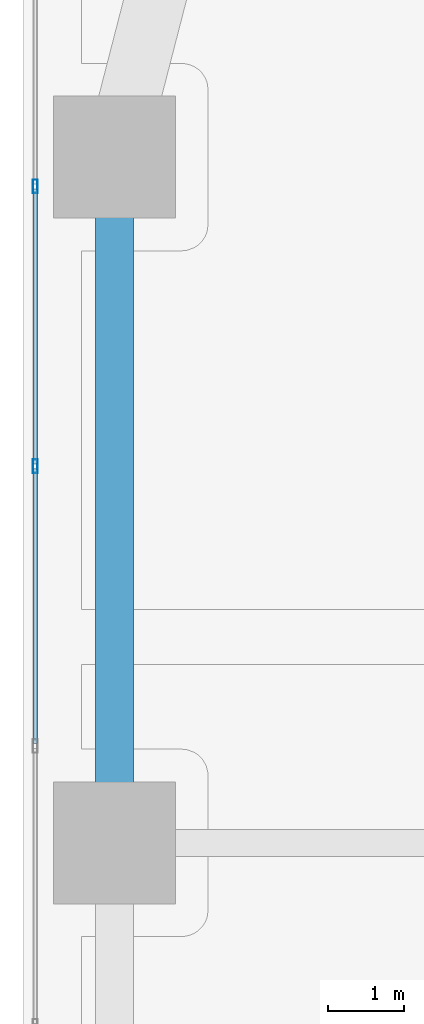
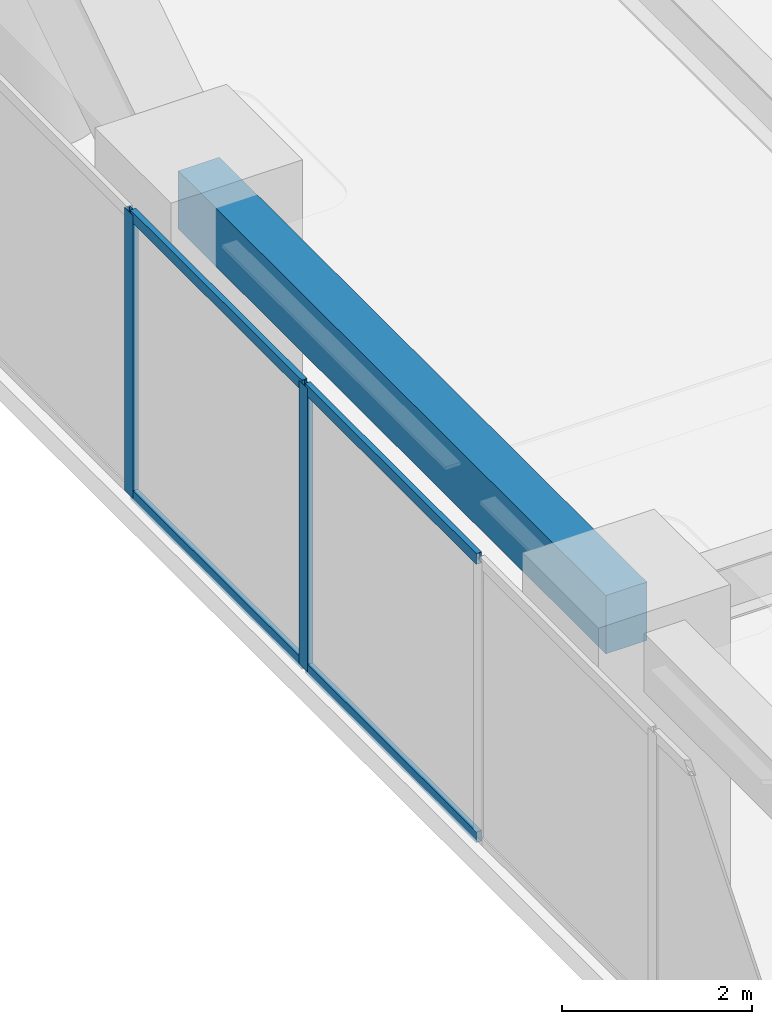
# One storey, part 12 of 29: 6 members, 1 beam, 1 element without a shape of its own.
"""IFC4 building model written with IfcOpenShell, lengths in metres."""

from ifc_helpers import new_model, si_unit, direction, frame, origin, origin_2d, place, context, subcontext, project, spatial, rectangle, hollow_rectangle, extrude, material, layer, layer_set, material_profile, profile_set, type_object, element, aggregate, save


model = new_model("IFC4")

# Units and contexts
model_context = context("Model", 3, precision=1e-05, world=origin(), true_north=direction((0.0, 1.0)))
body_context = subcontext(model_context, "Body", "Model", "MODEL_VIEW")
ifc_project = project(units=[si_unit("LENGTHUNIT", "METRE"), si_unit("AREAUNIT", "SQUARE_METRE"), si_unit("VOLUMEUNIT", "CUBIC_METRE"), si_unit("PLANEANGLEUNIT", "RADIAN"), si_unit("MASSUNIT", "GRAM", prefix="KILO")], contexts=[model_context])

# Site, building, storey
site_placement = place(None, origin())
site = spatial("IfcSite", under=ifc_project, at=site_placement, CompositionType="ELEMENT")
building_placement = place(site_placement, origin())
building = spatial("IfcBuilding", under=site, at=building_placement, Name="Kiyonajd Concourse Tower", CompositionType="ELEMENT")
storey_placement = place(building_placement, frame((0.0, 0.0, 48.89990234375)))
storey = spatial("IfcBuildingStorey", under=building, at=storey_placement, Name="L13", CompositionType="ELEMENT", Elevation=48.89990234375)

# Beam
ifc_material_1 = material(Name="Precast concrete C50/60", Category="concrete")
ifc_material_profile_1 = material_profile(ifc_material_1, rectangle(XDim=0.5, YDim=0.75, at=origin_2d()), Name="RCBM-500x750")
ifc_profile_set_1 = profile_set([ifc_material_profile_1], Name="Precast concrete C50/60")
beam_type = type_object("IfcBeamType", Name="BM-SPAN-RC", PredefinedType="SPANDREL", material=ifc_profile_set_1)
beam_placement = place(storey_placement, frame((19.199951171875, 53.39990234375, 3.26513671875), z_axis=(0.0, -1.0, 0.0), x_axis=(1.0, 0.0, 0.0)))
element("IfcBeam", 1, at=beam_placement, inside=storey, type_object=beam_type, Name="L13 Perimeter Bundled Tube Spandrel", PredefinedType="SPANDREL", context=body_context, shape_type="SweptSolid", body=[
    extrude(rectangle(XDim=0.5, YDim=0.75, at=origin_2d()), origin(), (0.0, 0.0, 1.0), 9.0),
])

# Curtain wall, members
ifc_material_2 = material(Name="Thermally Broken Anodised Aluminium", Category="aluminium")
ifc_layer = layer(ifc_material_2, 0.179931640625)
ifc_layer_set = layer_set([ifc_layer], Name="Thermally Broken Anodised Aluminium")
curtain_wall_type = type_object("IfcCurtainWallType", Name="CW-SYS-02", PredefinedType="NOTDEFINED", material=ifc_layer_set)
curtain_wall_placement = place(storey_placement, origin())
curtain_wall = element("IfcCurtainWall", 2, at=curtain_wall_placement, inside=storey, type_object=curtain_wall_type, Name="L13 Unitised Curtain Wall CW2", PredefinedType="NOTDEFINED")
ifc_material_profile_2 = material_profile(ifc_material_2, hollow_rectangle(XDim=0.06494140625, YDim=0.179931640625, WallThickness=0.00390625, at=origin_2d()), Name="MULL-65x180")
ifc_profile_set_2 = profile_set([ifc_material_profile_2], Name="Thermally Broken Anodised Aluminium")
member_type_1 = type_object("IfcMemberType", Name="MB-CW-MULL1", PredefinedType="MULLION", material=ifc_profile_set_2)
member_1_placement = place(storey_placement, frame((18.159912109375, 49.342529296875, 0.0), z_axis=(0.0, 0.0, 1.0), x_axis=(-1.0, 0.0, 0.0)))
member_1 = element("IfcMember", 3, at=member_1_placement, type_object=member_type_1, Name="CW2 mullion 5", PredefinedType="MULLION", context=body_context, shape_type="SweptSolid", body=[
    extrude(hollow_rectangle(XDim=0.06494140625, YDim=0.179931640625, WallThickness=0.00390625, at=origin_2d()), origin(), (0.0, 0.0, 1.0), 3.64013671875),
])
member_2_placement = place(storey_placement, frame((18.159912109375, 53.015869140625, 0.0), z_axis=(0.0, 0.0, 1.0), x_axis=(-1.0, 0.0, 0.0)))
member_2 = element("IfcMember", 4, at=member_2_placement, type_object=member_type_1, Name="CW2 mullion 6", PredefinedType="MULLION", context=body_context, shape_type="SweptSolid", body=[
    extrude(hollow_rectangle(XDim=0.06494140625, YDim=0.179931640625, WallThickness=0.00390625, at=origin_2d()), origin(), (0.0, 0.0, 1.0), 3.64013671875),
])
ifc_material_profile_3 = material_profile(ifc_material_2, hollow_rectangle(XDim=0.06494140625, YDim=0.139892578125, WallThickness=0.00390625, at=origin_2d()), Name="TRAN-65x140")
ifc_profile_set_3 = profile_set([ifc_material_profile_3], Name="Thermally Broken Anodised Aluminium")
member_type_2 = type_object("IfcMemberType", Name="MB-CW-TRAN1", PredefinedType="USERDEFINED", material=ifc_profile_set_3)
member_3_placement = place(storey_placement, frame((18.159912109375, 45.701904296875, 0.03271484375), z_axis=(0.0, 1.0, 0.0), x_axis=(-1.0, 0.0, 0.0)))
member_3 = element("IfcMember", 5, at=member_3_placement, type_object=member_type_2, Name="CW2 transom 4.1", ObjectType="TRANSOM", PredefinedType="USERDEFINED", context=body_context, shape_type="SweptSolid", body=[
    extrude(hollow_rectangle(XDim=0.06494140625, YDim=0.139892578125, WallThickness=0.00390625, at=origin_2d()), origin(), (0.0, 0.0, 1.0), 3.608154296875),
])
member_4_placement = place(storey_placement, frame((18.159912109375, 45.701904296875, 3.607666015625), z_axis=(0.0, 1.0, 0.0), x_axis=(-1.0, 0.0, 0.0)))
member_4 = element("IfcMember", 6, at=member_4_placement, type_object=member_type_2, Name="CW2 transom 4.2", ObjectType="TRANSOM", PredefinedType="USERDEFINED", context=body_context, shape_type="SweptSolid", body=[
    extrude(hollow_rectangle(XDim=0.06494140625, YDim=0.139892578125, WallThickness=0.00390625, at=origin_2d()), origin(), (0.0, 0.0, 1.0), 3.608154296875),
])
member_5_placement = place(storey_placement, frame((18.159912109375, 49.375, 0.03271484375), z_axis=(0.0, 1.0, 0.0), x_axis=(-1.0, 0.0, 0.0)))
member_5 = element("IfcMember", 7, at=member_5_placement, type_object=member_type_2, Name="CW2 transom 5.1", ObjectType="TRANSOM", PredefinedType="USERDEFINED", context=body_context, shape_type="SweptSolid", body=[
    extrude(hollow_rectangle(XDim=0.06494140625, YDim=0.139892578125, WallThickness=0.00390625, at=origin_2d()), origin(), (0.0, 0.0, 1.0), 3.608154296875),
])
member_6_placement = place(storey_placement, frame((18.159912109375, 49.375, 3.607666015625), z_axis=(0.0, 1.0, 0.0), x_axis=(-1.0, 0.0, 0.0)))
member_6 = element("IfcMember", 8, at=member_6_placement, type_object=member_type_2, Name="CW2 transom 5.2", ObjectType="TRANSOM", PredefinedType="USERDEFINED", context=body_context, shape_type="SweptSolid", body=[
    extrude(hollow_rectangle(XDim=0.06494140625, YDim=0.139892578125, WallThickness=0.00390625, at=origin_2d()), origin(), (0.0, 0.0, 1.0), 3.608154296875),
])
aggregate(curtain_wall, [member_1, member_2, member_3, member_4, member_5, member_6])

save(model, "model.ifc")
